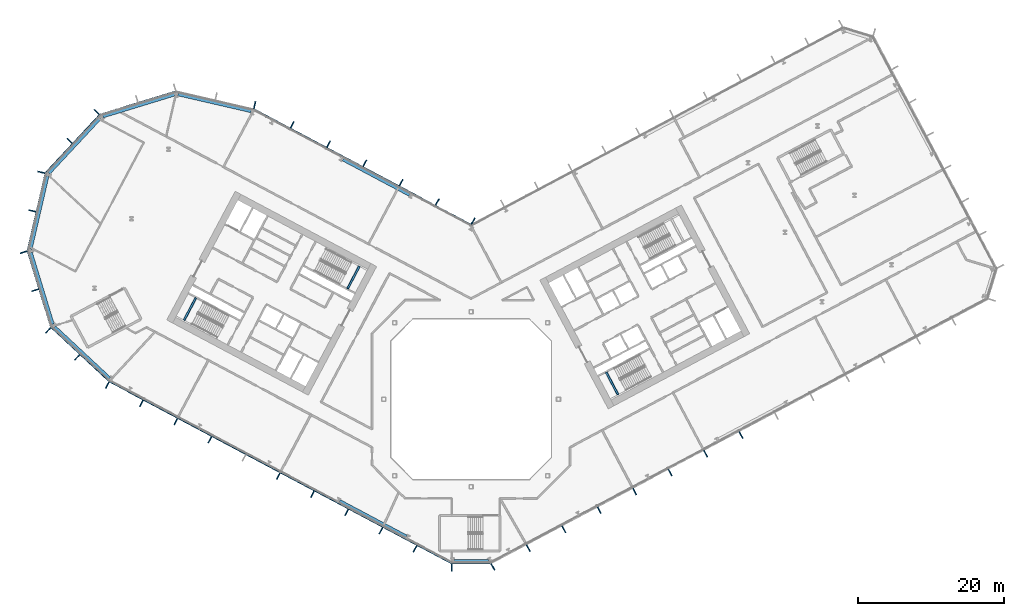
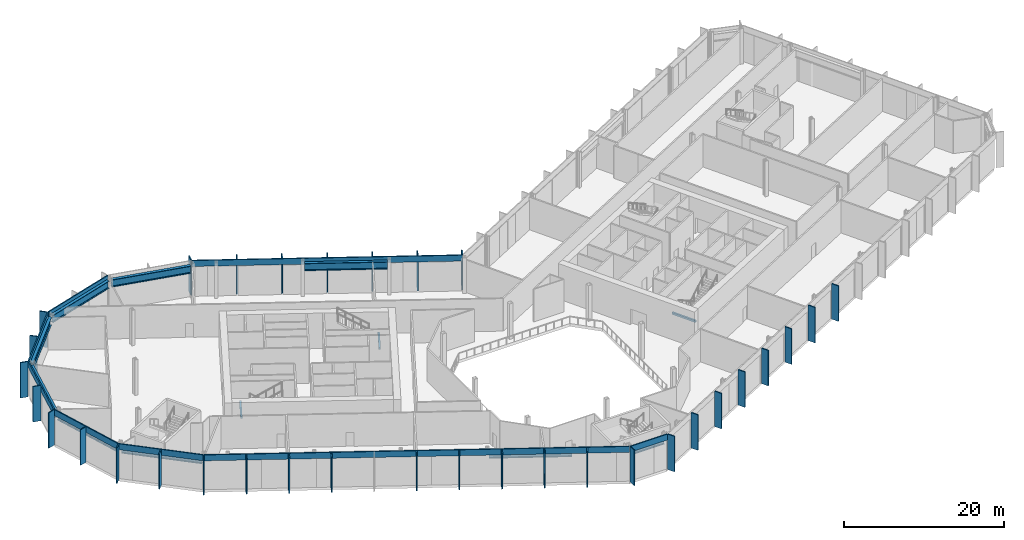
# One storey, part 6 of 32: 41 members, 12 beams, 10 elements without a shape of their own.
"""IFC4 building model written with IfcOpenShell, lengths in metres."""

from ifc_helpers import new_model, si_unit, direction, frame, origin, origin_2d, place, context, subcontext, project, spatial, rectangle, i_section, extrude, material, layer, layer_set, material_profile, profile_set, type_object, element, aggregate, save


model = new_model("IFC4")

# Units and contexts
model_context = context("Model", 3, precision=1e-05, world=origin(), true_north=direction((0.0, 1.0)))
body_context = subcontext(model_context, "Body", "Model", "MODEL_VIEW")
ifc_project = project(units=[si_unit("LENGTHUNIT", "METRE"), si_unit("AREAUNIT", "SQUARE_METRE"), si_unit("VOLUMEUNIT", "CUBIC_METRE"), si_unit("PLANEANGLEUNIT", "RADIAN"), si_unit("MASSUNIT", "GRAM", prefix="KILO")], contexts=[model_context])

# Site, building, storey
site_placement = place(None, origin())
site = spatial("IfcSite", under=ifc_project, at=site_placement, CompositionType="ELEMENT")
building_placement = place(site_placement, origin())
building = spatial("IfcBuilding", under=site, at=building_placement, Name="Cormorant Relay Tower", CompositionType="ELEMENT")
storey_placement = place(building_placement, frame((0.0, 0.0, 28.39990234375)))
storey = spatial("IfcBuildingStorey", under=building, at=storey_placement, Name="L05", CompositionType="ELEMENT", Elevation=28.39990234375)

# Curtain wall, member
ifc_material_1 = material(Name="Aluminium 6063-T6 anodised bronze", Category="aluminium")
ifc_layer = layer(ifc_material_1, 0.235107421875)
ifc_layer_set = layer_set([ifc_layer], Name="CW6 data hall curtain wall with mineral wool panels")
curtain_wall_type = type_object("IfcCurtainWallType", Name="CW6 data hall curtain wall with mineral wool panels", PredefinedType="NOTDEFINED", material=ifc_layer_set)
curtain_wall_1_placement = place(storey_placement, origin())
curtain_wall_1 = element("IfcCurtainWall", 1, at=curtain_wall_1_placement, inside=storey, type_object=curtain_wall_type, Name="CW6 curtain wall 1", PredefinedType="NOTDEFINED")
ifc_material_2 = material(Name="Aluminium 6063-T6 anodised bronze", Category="aluminium")
ifc_material_profile_1 = material_profile(ifc_material_2, rectangle(XDim=0.14990234375, YDim=1.0, at=origin_2d()), Name="AL 150x1000")
ifc_profile_set_1 = profile_set([ifc_material_profile_1], Name="Aluminium 6063-T6 anodised bronze")
member_type_1 = type_object("IfcMemberType", Name="CW6 bronze fin mullion 150 x 1000", PredefinedType="MULLION", material=ifc_profile_set_1)
member_1_placement = place(storey_placement, frame((-2.648681640625, -23.110595703125, 0.0), z_axis=(0.0, 0.0, 1.0), x_axis=(1.0, 0.0, 0.0)))
member_1 = element("IfcMember", 2, at=member_1_placement, type_object=member_type_1, Name="CW6 fin 1.1", PredefinedType="MULLION", context=body_context, shape_type="SweptSolid", body=[
    extrude(rectangle(XDim=0.14990234375, YDim=1.0, at=origin_2d()), origin(), (0.0, 0.0, 1.0), 5.400146484375),
])

# Curtain wall, members
curtain_wall_2_placement = place(storey_placement, origin())
curtain_wall_2 = element("IfcCurtainWall", 3, at=curtain_wall_2_placement, inside=storey, type_object=curtain_wall_type, Name="CW6 curtain wall 2", PredefinedType="NOTDEFINED")
member_2_placement = place(storey_placement, frame((2.993896484375, -23.0244140625, 0.0), z_axis=(0.0, 0.0, 1.0), x_axis=(0.882947592859, 0.469471562786, 0.0)))
member_2 = element("IfcMember", 4, at=member_2_placement, type_object=member_type_1, Name="CW6 fin 2.1", PredefinedType="MULLION", context=body_context, shape_type="SweptSolid", body=[
    extrude(rectangle(XDim=0.14990234375, YDim=1.0, at=origin_2d()), origin(), (0.0, 0.0, 1.0), 5.400146484375),
])
member_3_placement = place(storey_placement, frame((7.860595703125, -20.43701171875, 0.0), z_axis=(0.0, 0.0, 1.0), x_axis=(0.882947592859, 0.469471562786, 0.0)))
member_3 = element("IfcMember", 5, at=member_3_placement, type_object=member_type_1, Name="CW6 fin 2.2", PredefinedType="MULLION", context=body_context, shape_type="SweptSolid", body=[
    extrude(rectangle(XDim=0.14990234375, YDim=1.0, at=origin_2d()), origin(), (0.0, 0.0, 1.0), 5.400146484375),
])
member_4_placement = place(storey_placement, frame((12.727294921875, -17.84912109375, 0.0), z_axis=(0.0, 0.0, 1.0), x_axis=(0.882947592859, 0.469471562786, 0.0)))
member_4 = element("IfcMember", 6, at=member_4_placement, type_object=member_type_1, Name="CW6 fin 2.3", PredefinedType="MULLION", context=body_context, shape_type="SweptSolid", body=[
    extrude(rectangle(XDim=0.14990234375, YDim=1.0, at=origin_2d()), origin(), (0.0, 0.0, 1.0), 5.400146484375),
])
member_5_placement = place(storey_placement, frame((17.593994140625, -15.26171875, 0.0), z_axis=(0.0, 0.0, 1.0), x_axis=(0.882947592859, 0.469471562786, 0.0)))
member_5 = element("IfcMember", 7, at=member_5_placement, type_object=member_type_1, Name="CW6 fin 2.4", PredefinedType="MULLION", context=body_context, shape_type="SweptSolid", body=[
    extrude(rectangle(XDim=0.14990234375, YDim=1.0, at=origin_2d()), origin(), (0.0, 0.0, 1.0), 5.400146484375),
])
member_6_placement = place(storey_placement, frame((22.460693359375, -12.673828125, 0.0), z_axis=(0.0, 0.0, 1.0), x_axis=(0.882947592859, 0.469471562786, 0.0)))
member_6 = element("IfcMember", 8, at=member_6_placement, type_object=member_type_1, Name="CW6 fin 2.5", PredefinedType="MULLION", context=body_context, shape_type="SweptSolid", body=[
    extrude(rectangle(XDim=0.14990234375, YDim=1.0, at=origin_2d()), origin(), (0.0, 0.0, 1.0), 5.400146484375),
])
member_7_placement = place(storey_placement, frame((27.327392578125, -10.086181640625, 0.0), z_axis=(0.0, 0.0, 1.0), x_axis=(0.882947592859, 0.469471562786, 0.0)))
member_7 = element("IfcMember", 9, at=member_7_placement, type_object=member_type_1, Name="CW6 fin 2.6", PredefinedType="MULLION", context=body_context, shape_type="SweptSolid", body=[
    extrude(rectangle(XDim=0.14990234375, YDim=1.0, at=origin_2d()), origin(), (0.0, 0.0, 1.0), 5.400146484375),
])
member_8_placement = place(storey_placement, frame((32.194091796875, -7.49853515625, 0.0), z_axis=(0.0, 0.0, 1.0), x_axis=(0.882947592859, 0.469471562786, 0.0)))
member_8 = element("IfcMember", 10, at=member_8_placement, type_object=member_type_1, Name="CW6 fin 2.7", PredefinedType="MULLION", context=body_context, shape_type="SweptSolid", body=[
    extrude(rectangle(XDim=0.14990234375, YDim=1.0, at=origin_2d()), origin(), (0.0, 0.0, 1.0), 5.400146484375),
])
member_9_placement = place(storey_placement, frame((37.060546875, -4.910888671875, 0.0), z_axis=(0.0, 0.0, 1.0), x_axis=(0.882947592859, 0.469471562786, 0.0)))
member_9 = element("IfcMember", 11, at=member_9_placement, type_object=member_type_1, Name="CW6 fin 2.8", PredefinedType="MULLION", context=body_context, shape_type="SweptSolid", body=[
    extrude(rectangle(XDim=0.14990234375, YDim=1.0, at=origin_2d()), origin(), (0.0, 0.0, 1.0), 5.400146484375),
])
aggregate(curtain_wall_2, [member_2, member_3, member_4, member_5, member_6, member_7, member_8, member_9])

curtain_wall_3_placement = place(storey_placement, origin())
curtain_wall_3 = element("IfcCurtainWall", 12, at=curtain_wall_3_placement, inside=storey, type_object=curtain_wall_type, Name="CW6 curtain wall 7", PredefinedType="NOTDEFINED")
member_10_placement = place(storey_placement, frame((0.27880859375, 24.468017578125, 0.0), z_axis=(0.0, 0.0, 1.0), x_axis=(-0.882947592859, 0.469471562786, 0.0)))
member_10 = element("IfcMember", 13, at=member_10_placement, type_object=member_type_1, Name="CW6 fin 7.1", PredefinedType="MULLION", context=body_context, shape_type="SweptSolid", body=[
    extrude(rectangle(XDim=0.14990234375, YDim=1.0, at=origin_2d()), origin(), (0.0, 0.0, 1.0), 5.400146484375),
])
member_11_placement = place(storey_placement, frame((-4.6337890625, 27.080322265625, 0.0), z_axis=(0.0, 0.0, 1.0), x_axis=(-0.882947592859, 0.469471562786, 0.0)))
member_11 = element("IfcMember", 14, at=member_11_placement, type_object=member_type_1, Name="CW6 fin 7.2", PredefinedType="MULLION", context=body_context, shape_type="SweptSolid", body=[
    extrude(rectangle(XDim=0.14990234375, YDim=1.0, at=origin_2d()), origin(), (0.0, 0.0, 1.0), 5.400146484375),
])
member_12_placement = place(storey_placement, frame((-9.61279296875, 29.727783203125, 0.0), z_axis=(0.0, 0.0, 1.0), x_axis=(-0.882947592859, 0.469471562786, 0.0)))
member_12 = element("IfcMember", 15, at=member_12_placement, type_object=member_type_1, Name="CW6 fin 7.3", PredefinedType="MULLION", context=body_context, shape_type="SweptSolid", body=[
    extrude(rectangle(XDim=0.14990234375, YDim=1.0, at=origin_2d()), origin(), (0.0, 0.0, 1.0), 5.400146484375),
])
member_13_placement = place(storey_placement, frame((-14.591796875, 32.375, 0.0), z_axis=(0.0, 0.0, 1.0), x_axis=(-0.882947592859, 0.469471562786, 0.0)))
member_13 = element("IfcMember", 16, at=member_13_placement, type_object=member_type_1, Name="CW6 fin 7.4", PredefinedType="MULLION", context=body_context, shape_type="SweptSolid", body=[
    extrude(rectangle(XDim=0.14990234375, YDim=1.0, at=origin_2d()), origin(), (0.0, 0.0, 1.0), 5.400146484375),
])
member_14_placement = place(storey_placement, frame((-19.57080078125, 35.0224609375, 0.0), z_axis=(0.0, 0.0, 1.0), x_axis=(-0.882947592859, 0.469471562786, 0.0)))
member_14 = element("IfcMember", 17, at=member_14_placement, type_object=member_type_1, Name="CW6 fin 7.5", PredefinedType="MULLION", context=body_context, shape_type="SweptSolid", body=[
    extrude(rectangle(XDim=0.14990234375, YDim=1.0, at=origin_2d()), origin(), (0.0, 0.0, 1.0), 5.400146484375),
])
member_15_placement = place(storey_placement, frame((-24.5498046875, 37.669677734375, 0.0), z_axis=(0.0, 0.0, 1.0), x_axis=(-0.882947592859, 0.469471562786, 0.0)))
member_15 = element("IfcMember", 18, at=member_15_placement, type_object=member_type_1, Name="CW6 fin 7.6", PredefinedType="MULLION", context=body_context, shape_type="SweptSolid", body=[
    extrude(rectangle(XDim=0.14990234375, YDim=1.0, at=origin_2d()), origin(), (0.0, 0.0, 1.0), 5.400146484375),
])

# Curtain wall, member
curtain_wall_4_placement = place(storey_placement, origin())
curtain_wall_4 = element("IfcCurtainWall", 19, at=curtain_wall_4_placement, inside=storey, type_object=curtain_wall_type, Name="CW6 curtain wall 8", PredefinedType="NOTDEFINED")
member_16_placement = place(storey_placement, frame((-29.70849609375, 40.38427734375, 0.0), z_axis=(0.0, 0.0, 1.0), x_axis=(-0.974370064785, 0.224951054344, 0.0)))
member_16 = element("IfcMember", 20, at=member_16_placement, type_object=member_type_1, Name="CW6 fin 8.1", PredefinedType="MULLION", context=body_context, shape_type="SweptSolid", body=[
    extrude(rectangle(XDim=0.14990234375, YDim=1.0, at=origin_2d()), origin(), (0.0, 0.0, 1.0), 5.400146484375),
])
aggregate(curtain_wall_4, [member_16])

# Curtain wall, members
curtain_wall_5_placement = place(storey_placement, origin())
curtain_wall_5 = element("IfcCurtainWall", 21, at=curtain_wall_5_placement, inside=storey, type_object=curtain_wall_type, Name="CW6 curtain wall 10", PredefinedType="NOTDEFINED")
member_17_placement = place(storey_placement, frame((-51.3984375, 39.4365234375, 0.0), z_axis=(0.0, 0.0, 1.0), x_axis=(-0.681998360062, -0.731353701619, 0.0)))
member_17 = element("IfcMember", 22, at=member_17_placement, type_object=member_type_1, Name="CW6 fin 10.1", PredefinedType="MULLION", context=body_context, shape_type="SweptSolid", body=[
    extrude(rectangle(XDim=0.14990234375, YDim=1.0, at=origin_2d()), origin(), (0.0, 0.0, 1.0), 5.400146484375),
])
member_18_placement = place(storey_placement, frame((-55.105224609375, 35.46142578125, 0.0), z_axis=(0.0, 0.0, 1.0), x_axis=(-0.681998360062, -0.731353701619, 0.0)))
member_18 = element("IfcMember", 23, at=member_18_placement, type_object=member_type_1, Name="CW6 fin 10.2", PredefinedType="MULLION", context=body_context, shape_type="SweptSolid", body=[
    extrude(rectangle(XDim=0.14990234375, YDim=1.0, at=origin_2d()), origin(), (0.0, 0.0, 1.0), 5.400146484375),
])

curtain_wall_6_placement = place(storey_placement, origin())
curtain_wall_6 = element("IfcCurtainWall", 24, at=curtain_wall_6_placement, inside=storey, type_object=curtain_wall_type, Name="CW6 curtain wall 11", PredefinedType="NOTDEFINED")
member_19_placement = place(storey_placement, frame((-58.99072265625, 31.150390625, 0.0), z_axis=(0.0, 0.0, 1.0), x_axis=(-0.224951054344, -0.974370064785, 0.0)))
member_19 = element("IfcMember", 25, at=member_19_placement, type_object=member_type_1, Name="CW6 fin 11.1", PredefinedType="MULLION", context=body_context, shape_type="SweptSolid", body=[
    extrude(rectangle(XDim=0.14990234375, YDim=1.0, at=origin_2d()), origin(), (0.0, 0.0, 1.0), 5.400146484375),
])
member_20_placement = place(storey_placement, frame((-60.21337890625, 25.8544921875, 0.0), z_axis=(0.0, 0.0, 1.0), x_axis=(-0.224951054344, -0.974370064785, 0.0)))
member_20 = element("IfcMember", 26, at=member_20_placement, type_object=member_type_1, Name="CW6 fin 11.2", PredefinedType="MULLION", context=body_context, shape_type="SweptSolid", body=[
    extrude(rectangle(XDim=0.14990234375, YDim=1.0, at=origin_2d()), origin(), (0.0, 0.0, 1.0), 5.400146484375),
])

curtain_wall_7_placement = place(storey_placement, origin())
curtain_wall_7 = element("IfcCurtainWall", 27, at=curtain_wall_7_placement, inside=storey, type_object=curtain_wall_type, Name="CW6 curtain wall 12", PredefinedType="NOTDEFINED")
member_21_placement = place(storey_placement, frame((-61.422607421875, 20.178466796875, 0.0), z_axis=(0.0, 0.0, 1.0), x_axis=(0.292371704723, -0.956304755963, 0.0)))
member_21 = element("IfcMember", 28, at=member_21_placement, type_object=member_type_1, Name="CW6 fin 12.1", PredefinedType="MULLION", context=body_context, shape_type="SweptSolid", body=[
    extrude(rectangle(XDim=0.14990234375, YDim=1.0, at=origin_2d()), origin(), (0.0, 0.0, 1.0), 5.400146484375),
])
member_22_placement = place(storey_placement, frame((-59.83349609375, 14.980712890625, 0.0), z_axis=(0.0, 0.0, 1.0), x_axis=(0.292371704723, -0.956304755963, 0.0)))
member_22 = element("IfcMember", 29, at=member_22_placement, type_object=member_type_1, Name="CW6 fin 12.2", PredefinedType="MULLION", context=body_context, shape_type="SweptSolid", body=[
    extrude(rectangle(XDim=0.14990234375, YDim=1.0, at=origin_2d()), origin(), (0.0, 0.0, 1.0), 5.400146484375),
])

curtain_wall_8_placement = place(storey_placement, origin())
curtain_wall_8 = element("IfcCurtainWall", 30, at=curtain_wall_8_placement, inside=storey, type_object=curtain_wall_type, Name="CW6 curtain wall 13", PredefinedType="NOTDEFINED")
member_23_placement = place(storey_placement, frame((-58.04296875, 9.46044921875, 0.0), z_axis=(0.0, 0.0, 1.0), x_axis=(0.731353701619, -0.681998360062, 0.0)))
member_23 = element("IfcMember", 31, at=member_23_placement, type_object=member_type_1, Name="CW6 fin 13.1", PredefinedType="MULLION", context=body_context, shape_type="SweptSolid", body=[
    extrude(rectangle(XDim=0.14990234375, YDim=1.0, at=origin_2d()), origin(), (0.0, 0.0, 1.0), 5.400146484375),
])
member_24_placement = place(storey_placement, frame((-54.06787109375, 5.753662109375, 0.0), z_axis=(0.0, 0.0, 1.0), x_axis=(0.731353701619, -0.681998360062, 0.0)))
member_24 = element("IfcMember", 32, at=member_24_placement, type_object=member_type_1, Name="CW6 fin 13.2", PredefinedType="MULLION", context=body_context, shape_type="SweptSolid", body=[
    extrude(rectangle(XDim=0.14990234375, YDim=1.0, at=origin_2d()), origin(), (0.0, 0.0, 1.0), 5.400146484375),
])

curtain_wall_9_placement = place(storey_placement, origin())
curtain_wall_9 = element("IfcCurtainWall", 33, at=curtain_wall_9_placement, inside=storey, type_object=curtain_wall_type, Name="CW6 curtain wall 14", PredefinedType="NOTDEFINED")
member_25_placement = place(storey_placement, frame((-49.9365234375, 1.935302734375, 0.0), z_axis=(0.0, 0.0, 1.0), x_axis=(0.882947592859, -0.469471562786, 0.0)))
member_25 = element("IfcMember", 34, at=member_25_placement, type_object=member_type_1, Name="CW6 fin 14.1", PredefinedType="MULLION", context=body_context, shape_type="SweptSolid", body=[
    extrude(rectangle(XDim=0.14990234375, YDim=1.0, at=origin_2d()), origin(), (0.0, 0.0, 1.0), 5.400146484375),
])
member_26_placement = place(storey_placement, frame((-45.2421875, -0.560546875, 0.0), z_axis=(0.0, 0.0, 1.0), x_axis=(0.882947592859, -0.469471562786, 0.0)))
member_26 = element("IfcMember", 35, at=member_26_placement, type_object=member_type_1, Name="CW6 fin 14.2", PredefinedType="MULLION", context=body_context, shape_type="SweptSolid", body=[
    extrude(rectangle(XDim=0.14990234375, YDim=1.0, at=origin_2d()), origin(), (0.0, 0.0, 1.0), 5.400146484375),
])
member_27_placement = place(storey_placement, frame((-40.548095703125, -3.056640625, 0.0), z_axis=(0.0, 0.0, 1.0), x_axis=(0.882947592859, -0.469471562786, 0.0)))
member_27 = element("IfcMember", 36, at=member_27_placement, type_object=member_type_1, Name="CW6 fin 14.3", PredefinedType="MULLION", context=body_context, shape_type="SweptSolid", body=[
    extrude(rectangle(XDim=0.14990234375, YDim=1.0, at=origin_2d()), origin(), (0.0, 0.0, 1.0), 5.400146484375),
])
member_28_placement = place(storey_placement, frame((-35.853759765625, -5.552490234375, 0.0), z_axis=(0.0, 0.0, 1.0), x_axis=(0.882947592859, -0.469471562786, 0.0)))
member_28 = element("IfcMember", 37, at=member_28_placement, type_object=member_type_1, Name="CW6 fin 14.4", PredefinedType="MULLION", context=body_context, shape_type="SweptSolid", body=[
    extrude(rectangle(XDim=0.14990234375, YDim=1.0, at=origin_2d()), origin(), (0.0, 0.0, 1.0), 5.400146484375),
])
member_29_placement = place(storey_placement, frame((-26.46533203125, -10.544677734375, 0.0), z_axis=(0.0, 0.0, 1.0), x_axis=(0.882947592859, -0.469471562786, 0.0)))
member_29 = element("IfcMember", 38, at=member_29_placement, type_object=member_type_1, Name="CW6 fin 14.6", PredefinedType="MULLION", context=body_context, shape_type="SweptSolid", body=[
    extrude(rectangle(XDim=0.14990234375, YDim=1.0, at=origin_2d()), origin(), (0.0, 0.0, 1.0), 5.400146484375),
])
member_30_placement = place(storey_placement, frame((-21.77099609375, -13.04052734375, 0.0), z_axis=(0.0, 0.0, 1.0), x_axis=(0.882947592859, -0.469471562786, 0.0)))
member_30 = element("IfcMember", 39, at=member_30_placement, type_object=member_type_1, Name="CW6 fin 14.7", PredefinedType="MULLION", context=body_context, shape_type="SweptSolid", body=[
    extrude(rectangle(XDim=0.14990234375, YDim=1.0, at=origin_2d()), origin(), (0.0, 0.0, 1.0), 5.400146484375),
])
member_31_placement = place(storey_placement, frame((-17.07666015625, -15.53662109375, 0.0), z_axis=(0.0, 0.0, 1.0), x_axis=(0.882947592859, -0.469471562786, 0.0)))
member_31 = element("IfcMember", 40, at=member_31_placement, type_object=member_type_1, Name="CW6 fin 14.8", PredefinedType="MULLION", context=body_context, shape_type="SweptSolid", body=[
    extrude(rectangle(XDim=0.14990234375, YDim=1.0, at=origin_2d()), origin(), (0.0, 0.0, 1.0), 5.400146484375),
])
member_32_placement = place(storey_placement, frame((-12.38232421875, -18.032470703125, 0.0), z_axis=(0.0, 0.0, 1.0), x_axis=(0.882947592859, -0.469471562786, 0.0)))
member_32 = element("IfcMember", 41, at=member_32_placement, type_object=member_type_1, Name="CW6 fin 14.9", PredefinedType="MULLION", context=body_context, shape_type="SweptSolid", body=[
    extrude(rectangle(XDim=0.14990234375, YDim=1.0, at=origin_2d()), origin(), (0.0, 0.0, 1.0), 5.400146484375),
])
member_33_placement = place(storey_placement, frame((-7.688232421875, -20.528564453125, 0.0), z_axis=(0.0, 0.0, 1.0), x_axis=(0.882947592859, -0.469471562786, 0.0)))
member_33 = element("IfcMember", 42, at=member_33_placement, type_object=member_type_1, Name="CW6 fin 14.10", PredefinedType="MULLION", context=body_context, shape_type="SweptSolid", body=[
    extrude(rectangle(XDim=0.14990234375, YDim=1.0, at=origin_2d()), origin(), (0.0, 0.0, 1.0), 5.400146484375),
])

# Member
ifc_material_3 = material(Name="Aluminium 6063-T6 anodised bronze", Category="aluminium")
ifc_material_profile_2 = material_profile(ifc_material_3, rectangle(XDim=0.159912109375, YDim=0.89990234375, at=origin_2d()), Name="AL 160x900")
ifc_profile_set_2 = profile_set([ifc_material_profile_2], Name="Aluminium 6063-T6 anodised bronze")
member_type_2 = type_object("IfcMemberType", Name="CW6 bronze transom 160 x 900", PredefinedType="USERDEFINED", material=ifc_profile_set_2)
member_34_placement = place(storey_placement, frame((-2.648681640625, -22.530517578125, 4.9501953125), z_axis=(1.0, 0.0, 0.0), x_axis=(0.0, 1.0, 0.0)))
member_34 = element("IfcMember", 43, at=member_34_placement, type_object=member_type_2, Name="CW6 transom 1", ObjectType="TRANSOM", PredefinedType="USERDEFINED", context=body_context, shape_type="SweptSolid", body=[
    extrude(rectangle(XDim=0.159912109375, YDim=0.89990234375, at=origin_2d()), origin(), (0.0, 0.0, 1.0), 5.29736328125),
])

aggregate(curtain_wall_1, [member_1, member_34])

member_35_placement = place(storey_placement, frame((0.07275390625, 23.9208984375, 4.9501953125), z_axis=(-0.882949271414, 0.46946840587, 0.0), x_axis=(-0.46946840587, -0.882949271414, 0.0)))
member_35 = element("IfcMember", 44, at=member_35_placement, type_object=member_type_2, Name="CW6 transom 7", ObjectType="TRANSOM", PredefinedType="USERDEFINED", context=body_context, shape_type="SweptSolid", body=[
    extrude(rectangle(XDim=0.159912109375, YDim=0.89990234375, at=origin_2d()), origin(), (0.0, 0.0, 1.0), 33.833984375),
])

aggregate(curtain_wall_3, [member_10, member_11, member_12, member_13, member_14, member_15, member_35])

# Curtain wall, member
curtain_wall_10_placement = place(storey_placement, origin())
curtain_wall_10 = element("IfcCurtainWall", 45, at=curtain_wall_10_placement, inside=storey, type_object=curtain_wall_type, Name="CW6 curtain wall 9", PredefinedType="NOTDEFINED")
member_36_placement = place(storey_placement, frame((-40.5107421875, 42.26171875, 4.9501953125), z_axis=(-0.956304833932, -0.292371449698, 0.0), x_axis=(0.292371449698, -0.956304833932, 0.0)))
member_36 = element("IfcMember", 46, at=member_36_placement, type_object=member_type_2, Name="CW6 transom 9", ObjectType="TRANSOM", PredefinedType="USERDEFINED", context=body_context, shape_type="SweptSolid", body=[
    extrude(rectangle(XDim=0.159912109375, YDim=0.89990234375, at=origin_2d()), origin(), (0.0, 0.0, 1.0), 10.87060546875),
])
aggregate(curtain_wall_10, [member_36])

# Member
member_37_placement = place(storey_placement, frame((-50.974365234375, 39.041015625, 4.9501953125), z_axis=(-0.681993299437, -0.731358420696, 0.0), x_axis=(0.731358420696, -0.681993299437, 0.0)))
member_37 = element("IfcMember", 47, at=member_37_placement, type_object=member_type_2, Name="CW6 transom 10", ObjectType="TRANSOM", PredefinedType="USERDEFINED", context=body_context, shape_type="SweptSolid", body=[
    extrude(rectangle(XDim=0.159912109375, YDim=0.89990234375, at=origin_2d()), origin(), (0.0, 0.0, 1.0), 10.870361328125),
])

aggregate(curtain_wall_5, [member_17, member_18, member_37])

member_38_placement = place(storey_placement, frame((-58.425537109375, 31.02001953125, 4.9501953125), z_axis=(-0.22495136131, -0.974369993916, 0.0), x_axis=(0.974369993916, -0.22495136131, 0.0)))
member_38 = element("IfcMember", 48, at=member_38_placement, type_object=member_type_2, Name="CW6 transom 11", ObjectType="TRANSOM", PredefinedType="USERDEFINED", context=body_context, shape_type="SweptSolid", body=[
    extrude(rectangle(XDim=0.159912109375, YDim=0.89990234375, at=origin_2d()), origin(), (0.0, 0.0, 1.0), 10.870361328125),
])

aggregate(curtain_wall_6, [member_19, member_20, member_38])

member_39_placement = place(storey_placement, frame((-60.8681640625, 20.347900390625, 4.9501953125), z_axis=(0.292377729282, -0.95630291405, 0.0), x_axis=(0.95630291405, 0.292377729282, 0.0)))
member_39 = element("IfcMember", 49, at=member_39_placement, type_object=member_type_2, Name="CW6 transom 12", ObjectType="TRANSOM", PredefinedType="USERDEFINED", context=body_context, shape_type="SweptSolid", body=[
    extrude(rectangle(XDim=0.159912109375, YDim=0.89990234375, at=origin_2d()), origin(), (0.0, 0.0, 1.0), 10.870361328125),
])

aggregate(curtain_wall_7, [member_21, member_22, member_39])

member_40_placement = place(storey_placement, frame((-57.6474609375, 9.884521484375, 4.9501953125), z_axis=(0.731358420696, -0.681993299437, 0.0), x_axis=(0.681993299437, 0.731358420696, 0.0)))
member_40 = element("IfcMember", 50, at=member_40_placement, type_object=member_type_2, Name="CW6 transom 13", ObjectType="TRANSOM", PredefinedType="USERDEFINED", context=body_context, shape_type="SweptSolid", body=[
    extrude(rectangle(XDim=0.159912109375, YDim=0.89990234375, at=origin_2d()), origin(), (0.0, 0.0, 1.0), 10.870361328125),
])

aggregate(curtain_wall_8, [member_23, member_24, member_40])

member_41_placement = place(storey_placement, frame((-49.664306640625, 2.447509765625, 4.9501953125), z_axis=(0.882946630435, -0.469473372838, 0.0), x_axis=(0.469473372838, 0.882946630435, 0.0)))
member_41 = element("IfcMember", 51, at=member_41_placement, type_object=member_type_2, Name="CW6 transom 14", ObjectType="TRANSOM", PredefinedType="USERDEFINED", context=body_context, shape_type="SweptSolid", body=[
    extrude(rectangle(XDim=0.159912109375, YDim=0.89990234375, at=origin_2d()), origin(), (0.0, 0.0, 1.0), 53.165771484375),
])

aggregate(curtain_wall_9, [member_25, member_26, member_27, member_28, member_29, member_30, member_31, member_32, member_33, member_41])

# Beams
ifc_material_4 = material(Name="Steel ASTM A992 (Fy 345 MPa)", Category="steel")
ifc_material_profile_3 = material_profile(ifc_material_4, i_section(OverallWidth=0.408935546875, OverallDepth=1.137939453125, WebThickness=0.031005859375, FlangeThickness=0.05517578125, FilletRadius=0.02001953125, at=origin_2d()), Name="W1100x607")
ifc_profile_set_3 = profile_set([ifc_material_profile_3], Name="Steel ASTM A992 (Fy 345 MPa)")
beam_type_1 = type_object("IfcBeamType", Name="Spandrel W1100x607", PredefinedType="SPANDREL", material=ifc_profile_set_3)
beam_1_placement = place(storey_placement, frame((-2.331787109375, -22.171142578125, 4.381103515625), z_axis=(1.0, 0.0, 0.0), x_axis=(0.0, 1.0, 0.0)))
element("IfcBeam", 52, at=beam_1_placement, inside=storey, type_object=beam_type_1, Name="Spandrel beam L05-001", PredefinedType="SPANDREL", context=body_context, shape_type="SweptSolid", body=[
    extrude(i_section(OverallWidth=0.408935546875, OverallDepth=1.137939453125, WebThickness=0.031005859375, FlangeThickness=0.05517578125, FilletRadius=0.02001953125, at=origin_2d()), origin(), (0.0, 0.0, 1.0), 4.71533203125),
])
beam_2_placement = place(storey_placement, frame((-8.442138671875, 28.041015625, 4.381103515625), z_axis=(-0.882941792792, 0.469482470963, 0.0), x_axis=(-0.469482470963, -0.882941792792, 0.0)))
element("IfcBeam", 53, at=beam_2_placement, inside=storey, type_object=beam_type_1, Name="Spandrel beam L05-007", PredefinedType="SPANDREL", context=body_context, shape_type="SweptSolid", body=[
    extrude(i_section(OverallWidth=0.408935546875, OverallDepth=1.137939453125, WebThickness=0.031005859375, FlangeThickness=0.05517578125, FilletRadius=0.02001953125, at=origin_2d()), origin(), (0.0, 0.0, 1.0), 10.363037109375),
])
beam_3_placement = place(storey_placement, frame((-30.184814453125, 39.530029296875, 4.381103515625), z_axis=(-0.974369683491, 0.224952705905, 0.0), x_axis=(-0.224952705905, -0.974369683491, 0.0)))
element("IfcBeam", 54, at=beam_3_placement, inside=storey, type_object=beam_type_1, Name="Spandrel beam L05-008", PredefinedType="SPANDREL", context=body_context, shape_type="SweptSolid", body=[
    extrude(i_section(OverallWidth=0.408935546875, OverallDepth=1.137939453125, WebThickness=0.031005859375, FlangeThickness=0.05517578125, FilletRadius=0.02001953125, at=origin_2d()), origin(), (0.0, 0.0, 1.0), 10.3310546875),
])
beam_4_placement = place(storey_placement, frame((-40.716796875, 41.82275390625, 4.381103515625), z_axis=(-0.956304908485, -0.292371205845, 0.0), x_axis=(0.292371205845, -0.956304908485, 0.0)))
element("IfcBeam", 55, at=beam_4_placement, inside=storey, type_object=beam_type_1, Name="Spandrel beam L05-009", PredefinedType="SPANDREL", context=body_context, shape_type="SweptSolid", body=[
    extrude(i_section(OverallWidth=0.408935546875, OverallDepth=1.137939453125, WebThickness=0.031005859375, FlangeThickness=0.05517578125, FilletRadius=0.02001953125, at=origin_2d()), origin(), (0.0, 0.0, 1.0), 10.278564453125),
])
beam_5_placement = place(storey_placement, frame((-50.93359375, 38.557373046875, 4.381103515625), z_axis=(-0.682005863937, -0.731346704071, 0.0), x_axis=(0.731346704071, -0.682005863937, 0.0)))
element("IfcBeam", 56, at=beam_5_placement, inside=storey, type_object=beam_type_1, Name="Spandrel beam L05-010", PredefinedType="SPANDREL", context=body_context, shape_type="SweptSolid", body=[
    extrude(i_section(OverallWidth=0.408935546875, OverallDepth=1.137939453125, WebThickness=0.031005859375, FlangeThickness=0.05517578125, FilletRadius=0.02001953125, at=origin_2d()), origin(), (0.0, 0.0, 1.0), 10.277099609375),
])
beam_6_placement = place(storey_placement, frame((-58.1484375, 30.6220703125, 4.381103515625), z_axis=(-0.224956659484, -0.97436877072, 0.0), x_axis=(0.97436877072, -0.224956659484, 0.0)))
element("IfcBeam", 57, at=beam_6_placement, inside=storey, type_object=beam_type_1, Name="Spandrel beam L05-011", PredefinedType="SPANDREL", context=body_context, shape_type="SweptSolid", body=[
    extrude(i_section(OverallWidth=0.408935546875, OverallDepth=1.137939453125, WebThickness=0.031005859375, FlangeThickness=0.05517578125, FilletRadius=0.02001953125, at=origin_2d()), origin(), (0.0, 0.0, 1.0), 10.277587890625),
])
beam_7_placement = place(storey_placement, frame((-60.42919921875, 20.14208984375, 4.381103515625), z_axis=(0.292364564847, -0.956306938813, 0.0), x_axis=(0.956306938813, 0.292364564847, 0.0)))
element("IfcBeam", 58, at=beam_7_placement, inside=storey, type_object=beam_type_1, Name="Spandrel beam L05-012", PredefinedType="SPANDREL", context=body_context, shape_type="SweptSolid", body=[
    extrude(i_section(OverallWidth=0.408935546875, OverallDepth=1.137939453125, WebThickness=0.031005859375, FlangeThickness=0.05517578125, FilletRadius=0.02001953125, at=origin_2d()), origin(), (0.0, 0.0, 1.0), 10.27880859375),
])
beam_8_placement = place(storey_placement, frame((-57.163818359375, 9.925048828125, 4.381103515625), z_axis=(0.731361805756, -0.681989669336, 0.0), x_axis=(0.681989669336, 0.731361805756, 0.0)))
element("IfcBeam", 59, at=beam_8_placement, inside=storey, type_object=beam_type_1, Name="Spandrel beam L05-013", PredefinedType="SPANDREL", context=body_context, shape_type="SweptSolid", body=[
    extrude(i_section(OverallWidth=0.408935546875, OverallDepth=1.137939453125, WebThickness=0.031005859375, FlangeThickness=0.05517578125, FilletRadius=0.02001953125, at=origin_2d()), origin(), (0.0, 0.0, 1.0), 10.30029296875),
])
beam_9_placement = place(storey_placement, frame((-18.04638671875, -13.95703125, 4.381103515625), z_axis=(0.882942412403, -0.469481305677, 0.0), x_axis=(0.469481305677, 0.882942412403, 0.0)))
element("IfcBeam", 60, at=beam_9_placement, inside=storey, type_object=beam_type_1, Name="Spandrel beam L05-014", PredefinedType="SPANDREL", context=body_context, shape_type="SweptSolid", body=[
    extrude(i_section(OverallWidth=0.408935546875, OverallDepth=1.137939453125, WebThickness=0.031005859375, FlangeThickness=0.05517578125, FilletRadius=0.02001953125, at=origin_2d()), origin(), (0.0, 0.0, 1.0), 10.363525390625),
])
ifc_material_5 = material(Name="Concrete 50 MPa", Category="concrete")
ifc_material_profile_4 = material_profile(ifc_material_5, rectangle(XDim=0.25, YDim=0.300048828125, at=origin_2d()), Name="RC 250x300")
ifc_profile_set_4 = profile_set([ifc_material_profile_4], Name="Concrete 50 MPa")
beam_type_2 = type_object("IfcBeamType", Name="Stair landing ledge beam 250x300", PredefinedType="BEAM", material=ifc_profile_set_4)
for number, where, z_axis, x_axis, name in (
    (61, (-16.9677734375, 15.1943359375, 2.35009765625), (0.469463917486, 0.882951657895, 0.0), (-0.882951657895, 0.469463917486, 0.0), "A1 landing ledge beam"),
    (62, (-37.77490234375, 13.912841796875, 2.35009765625), (-0.469519084434, -0.88292232351, 0.0), (0.88292232351, -0.469519084434, 0.0), "A2 landing ledge beam"),
    (63, (18.55322265625, 3.6923828125, 2.35009765625), (0.469463917486, -0.882951657895, 0.0), (0.882951657895, 0.469463917486, 0.0), "B1 landing ledge beam"),
):
    element("IfcBeam", number, at=place(storey_placement, frame(where, z_axis=z_axis, x_axis=x_axis)), inside=storey, type_object=beam_type_2, Name=name, PredefinedType="BEAM", context=body_context, shape_type="SweptSolid", body=[
        extrude(rectangle(XDim=0.25, YDim=0.300048828125, at=origin_2d()), origin(), (0.0, 0.0, 1.0), 3.449951171875),
    ])

save(model, "model.ifc")
